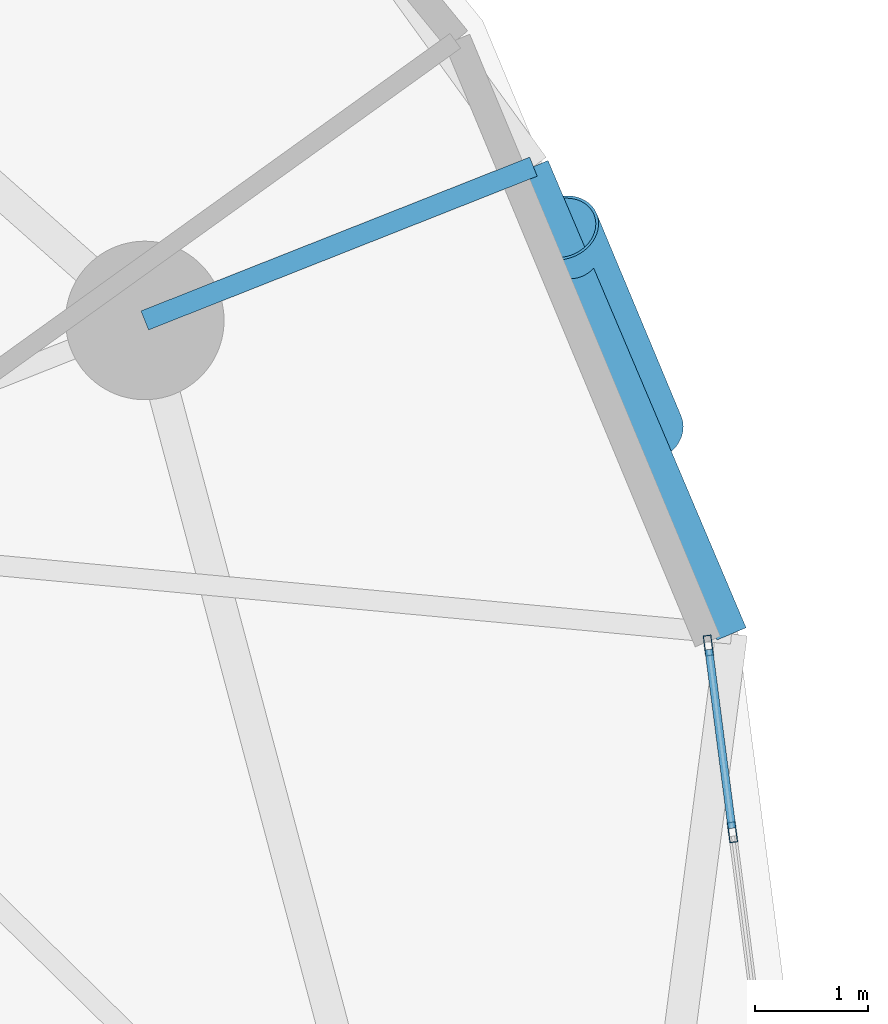
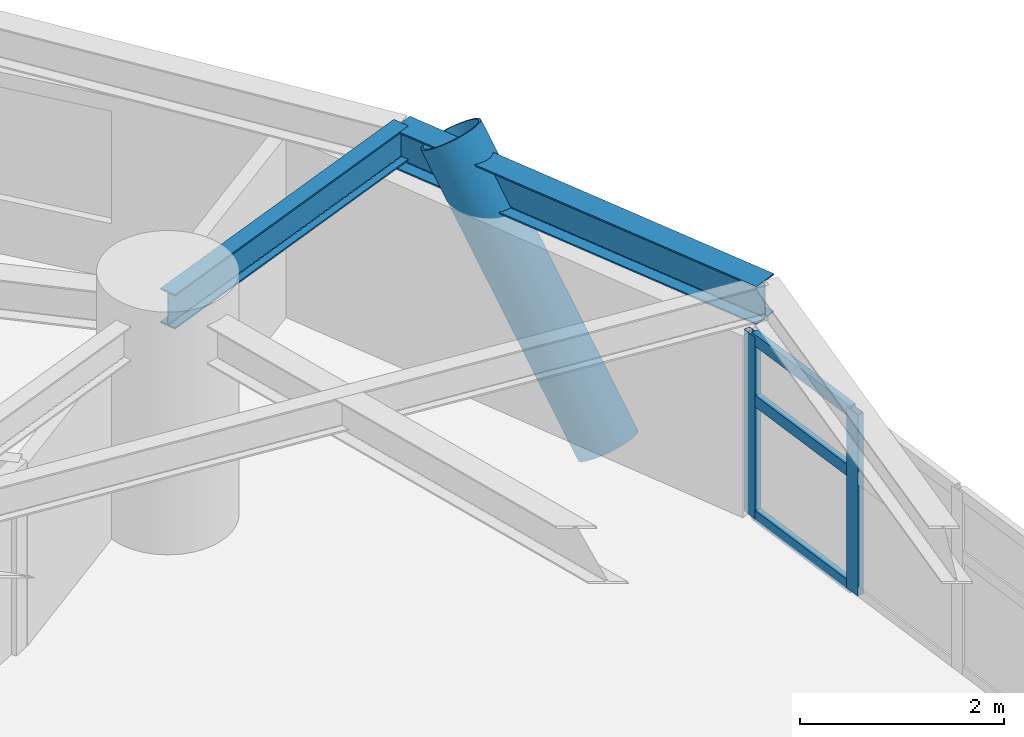
# One storey, part 4 of 17: 6 members, 2 beams, 1 element without a shape of its own.
"""IFC4 building model written with IfcOpenShell, lengths in metres."""

from ifc_helpers import new_model, si_unit, direction, frame, origin, origin_2d, place, context, subcontext, project, spatial, hollow_rectangle, hollow_circle, i_section, extrude, material, layer, layer_set, material_profile, profile_set, type_object, element, aggregate, save


model = new_model("IFC4")

# Units and contexts
model_context = context("Model", 3, precision=1e-05, world=origin(), true_north=direction((0.0, 1.0)))
body_context = subcontext(model_context, "Body", "Model", "MODEL_VIEW")
ifc_project = project(units=[si_unit("LENGTHUNIT", "METRE"), si_unit("AREAUNIT", "SQUARE_METRE"), si_unit("VOLUMEUNIT", "CUBIC_METRE"), si_unit("PLANEANGLEUNIT", "RADIAN"), si_unit("MASSUNIT", "GRAM", prefix="KILO")], contexts=[model_context])

# Site, building, storey
site_placement = place(None, origin())
site = spatial("IfcSite", under=ifc_project, at=site_placement, CompositionType="ELEMENT")
building_placement = place(site_placement, origin())
building = spatial("IfcBuilding", under=site, at=building_placement, Name="Cununo Teusaquillo Station Towers", CompositionType="ELEMENT")
storey_placement = place(building_placement, frame((0.0, 0.0, 113.800048828125)))
storey = spatial("IfcBuildingStorey", under=building, at=storey_placement, Name="L36", CompositionType="ELEMENT", Elevation=113.800048828125)

# Beams
ifc_material_1 = material(Name="Steel ASTM A572 Grade 50", Category="steel")
ifc_material_profile_1 = material_profile(ifc_material_1, i_section(OverallWidth=0.180908203125, OverallDepth=0.4169921875, WebThickness=0.010986328125, FlangeThickness=0.018310546875, FilletRadius=0.012939453125, at=origin_2d()), Name="W16X57")
ifc_profile_set_1 = profile_set([ifc_material_profile_1], Name="Steel ASTM A572 Grade 50")
beam_type_1 = type_object("IfcBeamType", Name="BM-RAD-G2", PredefinedType="BEAM", material=ifc_profile_set_1)
beam_1_placement = place(storey_placement, frame((26.347412109375, 33.228515625, 2.46142578125), z_axis=(0.929861788731, 0.367909029323, 0.0), x_axis=(-0.367909029323, 0.929861788731, 0.0)))
element("IfcBeam", 1, at=beam_1_placement, inside=storey, type_object=beam_type_1, Name="L36 Tower A Perimeter Overhang Girder 02B", PredefinedType="BEAM", context=body_context, shape_type="SweptSolid", body=[
    extrude(i_section(OverallWidth=0.180908203125, OverallDepth=0.4169921875, WebThickness=0.010986328125, FlangeThickness=0.018310546875, FilletRadius=0.012939453125, at=origin_2d()), origin(), (0.0, 0.0, 1.0), 3.690185546875),
])
ifc_material_2 = material(Name="Steel ASTM A572 Grade 50", Category="steel")
ifc_material_profile_2 = material_profile(ifc_material_2, i_section(OverallWidth=0.280029296875, OverallDepth=0.462890625, WebThickness=0.0107421875, FlangeThickness=0.017333984375, FilletRadius=0.013916015625, at=origin_2d()), Name="W18X76")
ifc_profile_set_2 = profile_set([ifc_material_profile_2], Name="Steel ASTM A572 Grade 50")
beam_type_2 = type_object("IfcBeamType", Name="BM-RING-Z2", PredefinedType="SPANDREL", material=ifc_profile_set_2)
beam_2_placement = place(storey_placement, frame((31.527587890625, 30.4609375, 2.4384765625), z_axis=(-0.390299356049, 0.920688010494, 0.0), x_axis=(-0.920688010494, -0.390299356049, 0.0)))
element("IfcBeam", 2, at=beam_2_placement, inside=storey, type_object=beam_type_2, Name="L36 Tower A Spandrel Ring Beam 02", PredefinedType="SPANDREL", context=body_context, shape_type="SweptSolid", body=[
    extrude(i_section(OverallWidth=0.280029296875, OverallDepth=0.462890625, WebThickness=0.0107421875, FlangeThickness=0.017333984375, FilletRadius=0.013916015625, at=origin_2d()), origin(), (0.0, 0.0, 1.0), 4.480712890625),
])

# Curtain wall, members
ifc_material_3 = material(Name="Ceramic-fritted dark low-E double glazing", Category="glass")
ifc_layer = layer(ifc_material_3, 0.179931640625)
ifc_layer_set = layer_set([ifc_layer], Name="Ceramic-fritted dark low-E double glazing")
curtain_wall_type = type_object("IfcCurtainWallType", Name="CW-SYS-04", PredefinedType="USERDEFINED", material=ifc_layer_set)
curtain_wall_placement = place(storey_placement, origin())
curtain_wall = element("IfcCurtainWall", 3, at=curtain_wall_placement, inside=storey, type_object=curtain_wall_type, Name="L36 Tower A Facade Curtain Wall C00", ObjectType="FRITTED GLAZING", PredefinedType="USERDEFINED")
ifc_material_4 = material(Name="Anodised dark bronze aluminium EN AW-6063-T6", Category="aluminium")
ifc_material_profile_3 = material_profile(ifc_material_4, hollow_rectangle(XDim=0.070068359375, YDim=0.179931640625, WallThickness=0.00390625, at=origin_2d()), Name="CW-MULL-70x180")
ifc_profile_set_3 = profile_set([ifc_material_profile_3], Name="Anodised dark bronze aluminium EN AW-6063-T6")
member_type_1 = type_object("IfcMemberType", Name="CWM-180", PredefinedType="MULLION", material=ifc_profile_set_3)
member_1_placement = place(storey_placement, frame((31.322998046875, 30.3583984375, 0.0), z_axis=(0.0, 0.0, 1.0), x_axis=(0.991730764367, 0.128335852387, 0.0)))
member_1 = element("IfcMember", 4, at=member_1_placement, type_object=member_type_1, Name="CW-04 mullion 1", PredefinedType="MULLION", context=body_context, shape_type="SweptSolid", body=[
    extrude(hollow_rectangle(XDim=0.070068359375, YDim=0.179931640625, WallThickness=0.00390625, at=origin_2d()), origin(), (0.0, 0.0, 1.0), 2.178955078125),
])
member_2_placement = place(storey_placement, frame((31.5361328125, 28.709716796875, 0.0), z_axis=(0.0, 0.0, 1.0), x_axis=(0.991730764367, 0.128335852387, 0.0)))
member_2 = element("IfcMember", 5, at=member_2_placement, type_object=member_type_1, Name="CW-04 mullion 2", PredefinedType="MULLION", context=body_context, shape_type="SweptSolid", body=[
    extrude(hollow_rectangle(XDim=0.070068359375, YDim=0.179931640625, WallThickness=0.00390625, at=origin_2d()), origin(), (0.0, 0.0, 1.0), 2.178955078125),
])
ifc_material_5 = material(Name="Anodised dark bronze aluminium EN AW-6063-T6", Category="aluminium")
ifc_material_profile_4 = material_profile(ifc_material_5, hollow_rectangle(XDim=0.070068359375, YDim=0.139892578125, WallThickness=0.00390625, at=origin_2d()), Name="CW-TRAN-70x140")
ifc_profile_set_4 = profile_set([ifc_material_profile_4], Name="Anodised dark bronze aluminium EN AW-6063-T6")
member_type_2 = type_object("IfcMemberType", Name="CWT-140", PredefinedType="USERDEFINED", material=ifc_profile_set_4)
member_3_placement = place(storey_placement, frame((31.327392578125, 30.323486328125, 0.034912109375), z_axis=(0.128336210724, -0.991730717996, 0.0), x_axis=(0.991730717996, 0.128336210724, 0.0)))
member_3 = element("IfcMember", 6, at=member_3_placement, type_object=member_type_2, Name="CW-04 transom 1.1", ObjectType="TRANSOM", PredefinedType="USERDEFINED", context=body_context, shape_type="SweptSolid", body=[
    extrude(hollow_rectangle(XDim=0.070068359375, YDim=0.139892578125, WallThickness=0.00390625, at=origin_2d()), origin(), (0.0, 0.0, 1.0), 1.59228515625),
])
member_4_placement = place(storey_placement, frame((31.327392578125, 30.323486328125, 1.416015625), z_axis=(0.128336210724, -0.991730717996, 0.0), x_axis=(0.991730717996, 0.128336210724, 0.0)))
member_4 = element("IfcMember", 7, at=member_4_placement, type_object=member_type_2, Name="CW-04 transom 1.2", ObjectType="TRANSOM", PredefinedType="USERDEFINED", context=body_context, shape_type="SweptSolid", body=[
    extrude(hollow_rectangle(XDim=0.070068359375, YDim=0.139892578125, WallThickness=0.00390625, at=origin_2d()), origin(), (0.0, 0.0, 1.0), 1.59228515625),
])
member_5_placement = place(storey_placement, frame((31.327392578125, 30.323486328125, 2.14404296875), z_axis=(0.128336210724, -0.991730717996, 0.0), x_axis=(0.991730717996, 0.128336210724, 0.0)))
member_5 = element("IfcMember", 8, at=member_5_placement, type_object=member_type_2, Name="CW-04 transom 1.3", ObjectType="TRANSOM", PredefinedType="USERDEFINED", context=body_context, shape_type="SweptSolid", body=[
    extrude(hollow_rectangle(XDim=0.070068359375, YDim=0.139892578125, WallThickness=0.00390625, at=origin_2d()), origin(), (0.0, 0.0, 1.0), 1.59228515625),
])
aggregate(curtain_wall, [member_1, member_2, member_3, member_4, member_5])

# Member
ifc_material_6 = material(Name="Steel EN 10025-2 S355J2", Category="steel")
ifc_material_profile_5 = material_profile(ifc_material_6, hollow_circle(Radius=0.330078125, WallThickness=0.02490234375, at=origin_2d()), Name="CHS 660x25")
ifc_profile_set_5 = profile_set([ifc_material_profile_5], Name="Steel EN 10025-2 S355J2")
member_type_3 = type_object("IfcMemberType", Name="MBR-DIAG-Z2", PredefinedType="BRACE", material=ifc_profile_set_5)
member_6_placement = place(storey_placement, frame((30.779541015625, 32.25341796875, -0.14013671875), z_axis=(-0.213801258435, 0.512313589893, 0.831759464931), x_axis=(-0.922861086318, -0.385132983993, 0.0)))
element("IfcMember", 9, at=member_6_placement, inside=storey, type_object=member_type_3, Name="L36 Tower A Folded-Zigzag Diagrid Tube C01", PredefinedType="BRACE", context=body_context, shape_type="SweptSolid", body=[
    extrude(hollow_circle(Radius=0.330078125, WallThickness=0.02490234375, at=origin_2d()), origin(), (0.0, 0.0, 1.0), 3.498779296875),
])

save(model, "model.ifc")
